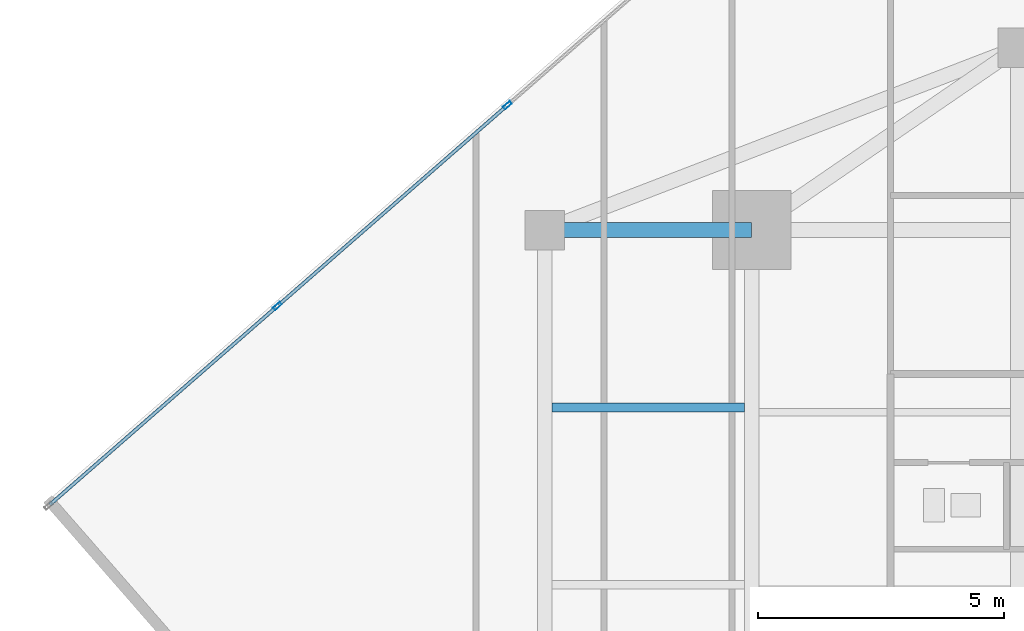
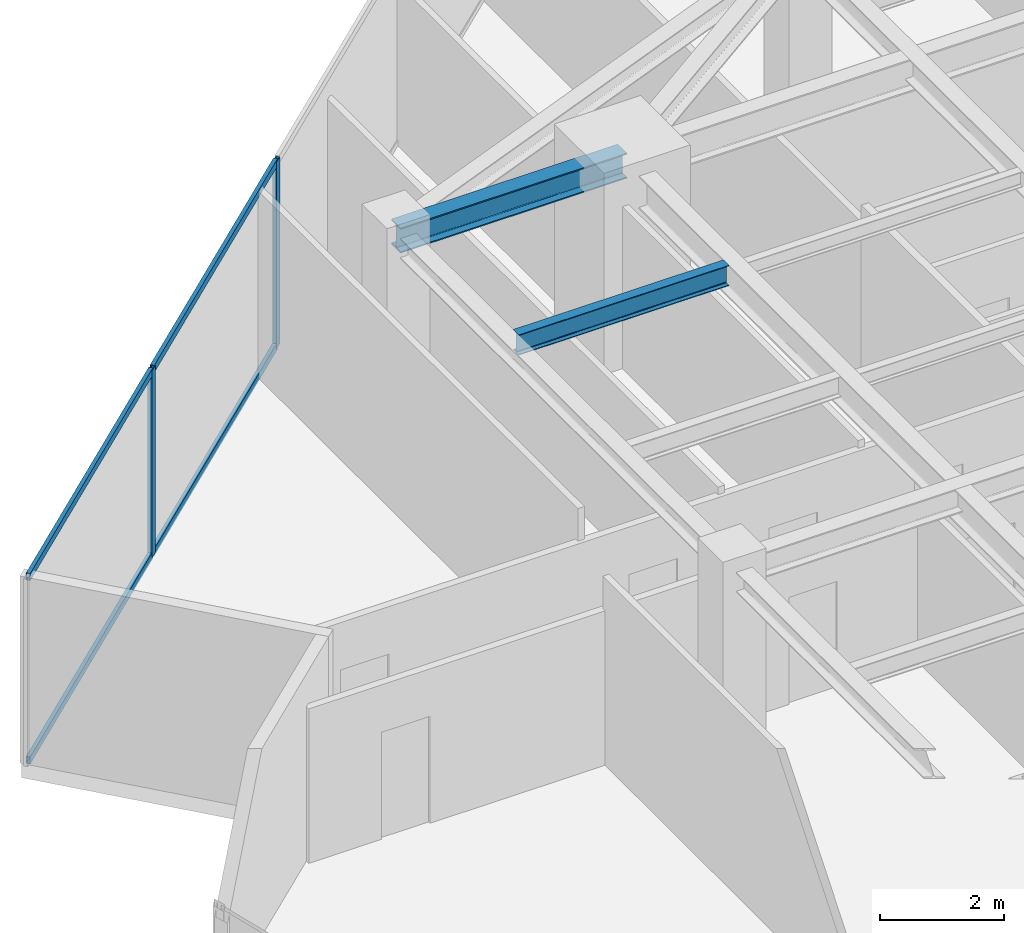
# One storey, part 13 of 24: 6 members, 2 beams, 1 element without a shape of its own.
"""IFC4 building model written with IfcOpenShell, lengths in metres."""

from ifc_helpers import new_model, si_unit, direction, frame, origin, origin_2d, place, context, subcontext, project, spatial, hollow_rectangle, i_section, extrude, source, transform, mapped, material, material_profile, profile_set, type_object, type_shapes, element, aggregate, save


model = new_model("IFC4")

# Units and contexts
model_context = context("Model", 3, precision=1e-05, world=origin(), true_north=direction((0.0, 1.0)))
body_context = subcontext(model_context, "Body", "Model", "MODEL_VIEW")
ifc_project = project(units=[si_unit("LENGTHUNIT", "METRE"), si_unit("AREAUNIT", "SQUARE_METRE"), si_unit("VOLUMEUNIT", "CUBIC_METRE"), si_unit("PLANEANGLEUNIT", "RADIAN"), si_unit("MASSUNIT", "GRAM", prefix="KILO")], contexts=[model_context])

# Site, building, storey
site_placement = place(None, origin())
site = spatial("IfcSite", under=ifc_project, at=site_placement, CompositionType="ELEMENT")
building_placement = place(site_placement, origin())
building = spatial("IfcBuilding", under=site, at=building_placement, Name="Krantzveldt Concourse Tower", CompositionType="ELEMENT")
storey_placement = place(building_placement, frame((0.0, 0.0, 254.699951171875)))
storey = spatial("IfcBuildingStorey", under=building, at=storey_placement, Name="L62", CompositionType="ELEMENT", Elevation=254.699951171875)

# Beams
ifc_material_1 = material(Name="Steel S355JR", Category="steel")
ifc_material_profile_1 = material_profile(ifc_material_1, i_section(OverallWidth=0.300048828125, OverallDepth=0.489990234375, WebThickness=0.011962890625, FlangeThickness=0.02294921875, FilletRadius=0.027099609375, at=origin_2d()), Name="Steel S355JR", Category="steel")
ifc_profile_set_1 = profile_set([ifc_material_profile_1], Name="Steel S355JR - HEA 500")
beam_type_1 = type_object("IfcBeamType", Name="BM-B-HEA500", PredefinedType="BEAM", material=ifc_profile_set_1)
shared_shape_1 = source(origin(), body_context, "Body", "SweptSolid", [
    extrude(i_section(OverallWidth=0.300048828125, OverallDepth=0.489990234375, WebThickness=0.011962890625, FlangeThickness=0.02294921875, FilletRadius=0.027099609375, at=origin_2d()), origin(), (0.0, 0.0, 1.0), 4.199951171875),
])
type_shapes(beam_type_1, [shared_shape_1])
beam_1_placement = place(storey_placement, frame((21.0, 37.5, 3.425048828125), z_axis=(1.0, 0.0, 0.0), x_axis=(0.0, 1.0, 0.0)))
element("IfcBeam", 1, at=beam_1_placement, inside=storey, type_object=beam_type_1, Name="L62 Tower Girder BR-RL3", PredefinedType="BEAM", context=body_context, shape_type="MappedRepresentation", body=[
    mapped(shared_shape_1, transform((0.0, 0.0, 0.0), x_axis=(1.0, 0.0, 0.0), y_axis=(0.0, 1.0, 0.0), z_axis=(0.0, 0.0, 1.0), scale=1.0)),
])
ifc_material_profile_2 = material_profile(ifc_material_1, i_section(OverallWidth=0.179931640625, OverallDepth=0.39990234375, WebThickness=0.008544921875, FlangeThickness=0.013427734375, FilletRadius=0.02099609375, at=origin_2d()), Name="Steel S355JR", Category="steel")
ifc_profile_set_2 = profile_set([ifc_material_profile_2], Name="Steel S355JR - IPE 400")
beam_type_2 = type_object("IfcBeamType", Name="BM-J-IPE400", PredefinedType="JOIST", material=ifc_profile_set_2)
shared_shape_2 = source(origin(), body_context, "Body", "SweptSolid", [
    extrude(i_section(OverallWidth=0.179931640625, OverallDepth=0.39990234375, WebThickness=0.008544921875, FlangeThickness=0.013427734375, FilletRadius=0.02099609375, at=origin_2d()), origin(), (0.0, 0.0, 1.0), 3.900146484375),
])
type_shapes(beam_type_2, [shared_shape_2])
beam_2_placement = place(storey_placement, frame((21.14990234375, 33.89990234375, 3.469970703125), z_axis=(1.0, 0.0, 0.0), x_axis=(0.0, 1.0, 0.0)))
element("IfcBeam", 2, at=beam_2_placement, inside=storey, type_object=beam_type_2, Name="L62 Secondary Floor Joist JW-4", PredefinedType="JOIST", context=body_context, shape_type="MappedRepresentation", body=[
    mapped(shared_shape_2, transform((0.0, 0.0, 0.0), x_axis=(1.0, 0.0, 0.0), y_axis=(0.0, 1.0, 0.0), z_axis=(0.0, 0.0, 1.0), scale=1.0)),
])

# Curtain wall, members
ifc_material_2 = material(Name="Anodised aluminium 6063-T6", Category="aluminium")
curtain_wall_type = type_object("IfcCurtainWallType", Name="CW3", PredefinedType="USERDEFINED", material=ifc_material_2)
curtain_wall_placement = place(storey_placement, origin())
curtain_wall = element("IfcCurtainWall", 3, at=curtain_wall_placement, inside=storey, type_object=curtain_wall_type, Name="CW-L62-F01", ObjectType="UNITISED CURTAIN WALL", PredefinedType="USERDEFINED")
ifc_material_profile_3 = material_profile(ifc_material_2, hollow_rectangle(XDim=0.070068359375, YDim=0.179931640625, WallThickness=0.0048828125, at=origin_2d()), Name="Anodised aluminium 6063-T6", Category="aluminium")
ifc_profile_set_3 = profile_set([ifc_material_profile_3], Name="Anodised aluminium 6063-T6 - ALU-MULL 180x70x5")
member_type_1 = type_object("IfcMemberType", Name="CW-MUL-180", PredefinedType="MULLION", material=ifc_profile_set_3)
shared_shape_3 = source(origin(), body_context, "Body", "SweptSolid", [
    extrude(hollow_rectangle(XDim=0.070068359375, YDim=0.179931640625, WallThickness=0.0048828125, at=origin_2d()), origin(), (0.0, 0.0, 1.0), 3.670166015625),
])
type_shapes(member_type_1, [shared_shape_3])
member_1_placement = place(storey_placement, frame((20.2412109375, 40.035400390625, 0.0), z_axis=(0.0, 0.0, 1.0), x_axis=(0.657703938567, -0.753276529034, 0.0)))
member_1 = element("IfcMember", 4, at=member_1_placement, type_object=member_type_1, Name="CW-Z34 mullion 4", PredefinedType="MULLION", context=body_context, shape_type="MappedRepresentation", body=[
    mapped(shared_shape_3, transform((0.0, 0.0, 0.0), x_axis=(1.0, 0.0, 0.0), y_axis=(0.0, 1.0, 0.0), z_axis=(0.0, 0.0, 1.0), scale=1.0)),
])
member_2_placement = place(storey_placement, frame((15.57080078125, 35.957763671875, 0.0), z_axis=(0.0, 0.0, 1.0), x_axis=(0.657703938567, -0.753276529034, 0.0)))
member_2 = element("IfcMember", 5, at=member_2_placement, type_object=member_type_1, Name="CW-Z34 mullion 5", PredefinedType="MULLION", context=body_context, shape_type="MappedRepresentation", body=[
    mapped(shared_shape_3, transform((0.0, 0.0, 0.0), x_axis=(1.0, 0.0, 0.0), y_axis=(0.0, 1.0, 0.0), z_axis=(0.0, 0.0, 1.0), scale=1.0)),
])
ifc_material_profile_4 = material_profile(ifc_material_2, hollow_rectangle(XDim=0.070068359375, YDim=0.139892578125, WallThickness=0.0048828125, at=origin_2d()), Name="Anodised aluminium 6063-T6", Category="aluminium")
ifc_profile_set_4 = profile_set([ifc_material_profile_4], Name="Anodised aluminium 6063-T6 - ALU-TRAN 140x70x5")
member_type_2 = type_object("IfcMemberType", Name="CW-TRN-150", PredefinedType="USERDEFINED", material=ifc_profile_set_4)
shared_shape_4 = source(origin(), body_context, "Body", "SweptSolid", [
    extrude(hollow_rectangle(XDim=0.070068359375, YDim=0.139892578125, WallThickness=0.0048828125, at=origin_2d()), origin(), (0.0, 0.0, 1.0), 6.130126953125),
])
member_3_placement = place(storey_placement, frame((20.21484375, 40.012451171875, 0.03515625), z_axis=(-0.753281864593, -0.657697827635, 0.0), x_axis=(0.657697827635, -0.753281864593, 0.0)))
member_3 = element("IfcMember", 6, at=member_3_placement, type_object=member_type_2, Name="CW-Z34 transom 4.1", ObjectType="TRANSOM", PredefinedType="USERDEFINED", context=body_context, shape_type="MappedRepresentation", body=[
    mapped(shared_shape_4, transform((0.0, 0.0, 0.0), x_axis=(1.0, 0.0, 0.0), y_axis=(0.0, 1.0, 0.0), z_axis=(0.0, 0.0, 1.0), scale=1.0)),
])
member_4_placement = place(storey_placement, frame((20.21484375, 40.012451171875, 3.635009765625), z_axis=(-0.753281864593, -0.657697827635, 0.0), x_axis=(0.657697827635, -0.753281864593, 0.0)))
member_4 = element("IfcMember", 7, at=member_4_placement, type_object=member_type_2, Name="CW-Z34 transom 4.2", ObjectType="TRANSOM", PredefinedType="USERDEFINED", context=body_context, shape_type="MappedRepresentation", body=[
    mapped(shared_shape_4, transform((0.0, 0.0, 0.0), x_axis=(1.0, 0.0, 0.0), y_axis=(0.0, 1.0, 0.0), z_axis=(0.0, 0.0, 1.0), scale=1.0)),
])
shared_shape_5 = source(origin(), body_context, "Body", "SweptSolid", [
    extrude(hollow_rectangle(XDim=0.070068359375, YDim=0.139892578125, WallThickness=0.0048828125, at=origin_2d()), origin(), (0.0, 0.0, 1.0), 6.09521484375),
])
type_shapes(member_type_2, [shared_shape_4, shared_shape_5])
member_5_placement = place(storey_placement, frame((15.54443359375, 35.934814453125, 0.03515625), z_axis=(-0.75327599324, -0.657704552218, 0.0), x_axis=(0.657704552218, -0.75327599324, 0.0)))
member_5 = element("IfcMember", 8, at=member_5_placement, type_object=member_type_2, Name="CW-Z34 transom 5.1", ObjectType="TRANSOM", PredefinedType="USERDEFINED", context=body_context, shape_type="MappedRepresentation", body=[
    mapped(shared_shape_5, transform((0.0, 0.0, 0.0), x_axis=(1.0, 0.0, 0.0), y_axis=(0.0, 1.0, 0.0), z_axis=(0.0, 0.0, 1.0), scale=1.0)),
])
member_6_placement = place(storey_placement, frame((15.54443359375, 35.934814453125, 3.635009765625), z_axis=(-0.75327599324, -0.657704552218, 0.0), x_axis=(0.657704552218, -0.75327599324, 0.0)))
member_6 = element("IfcMember", 9, at=member_6_placement, type_object=member_type_2, Name="CW-Z34 transom 5.2", ObjectType="TRANSOM", PredefinedType="USERDEFINED", context=body_context, shape_type="MappedRepresentation", body=[
    mapped(shared_shape_5, transform((0.0, 0.0, 0.0), x_axis=(1.0, 0.0, 0.0), y_axis=(0.0, 1.0, 0.0), z_axis=(0.0, 0.0, 1.0), scale=1.0)),
])
aggregate(curtain_wall, [member_1, member_2, member_3, member_4, member_5, member_6])

save(model, "model.ifc")
